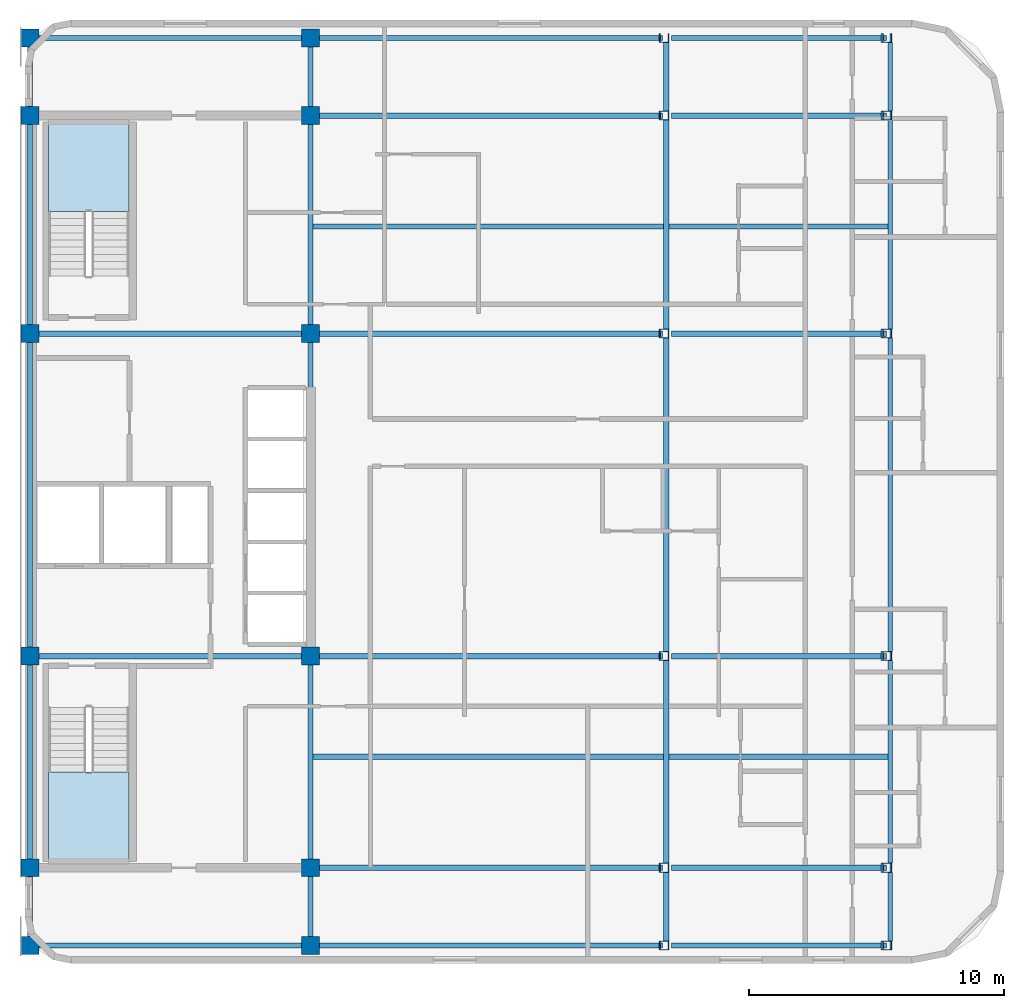
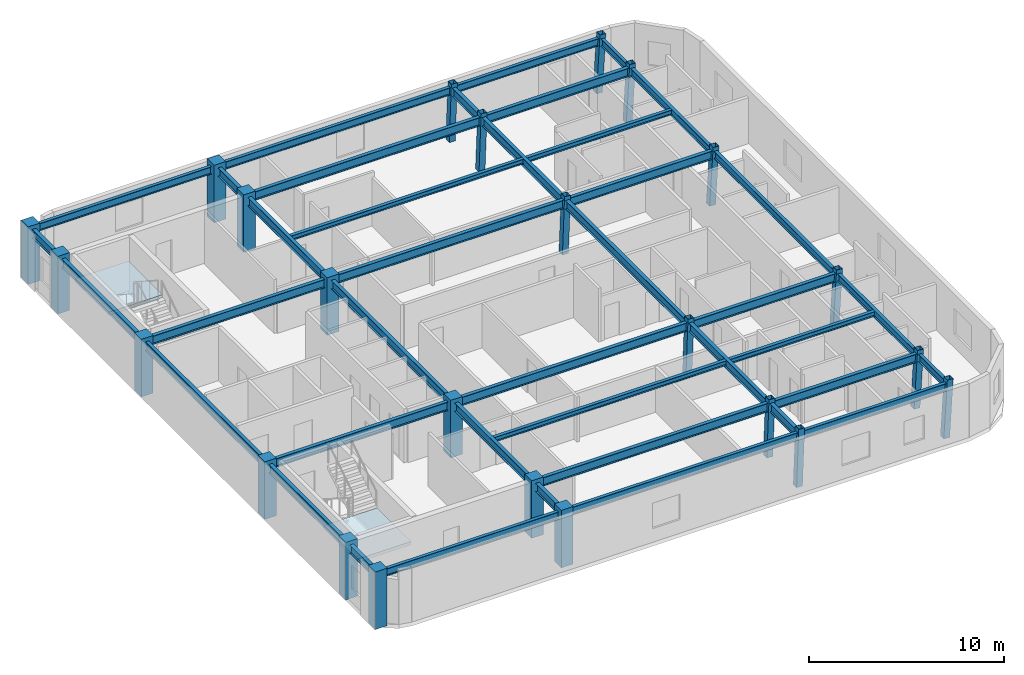
# One storey, part 1 of 6: 40 beams, 24 columns, 2 slabs, 2 elements without a shape of their own.
"""IFC4 building model written with IfcOpenShell, lengths in metres."""

import ifcopenshell
import ifcopenshell.guid

model = None  # the IFC model being written
_history = None  # IfcOwnerHistory: only IFC2X3 demands one
_inside = {}  # id of a spatial element -> (the spatial element, [elements in it])
_under = {}  # id of a project, library or spatial element -> (it, [spatial elements below it])
_declared = {}  # id of a project -> (the project, [libraries it declares])
_typed = {}  # id of a type object -> (the type object, [elements of that type])
_made_of = {}  # id of a material, layer set ... -> (it, [elements and type objects made of it])


def new_model(schema):
    """Start an empty IFC model of exactly this schema.

    Asked for "IFC4X3", IfcOpenShell would pick the latest addendum, in which some entities
    have other attributes; the version numbers below select the first issue.
    IFC2X3 requires an IfcOwnerHistory on every rooted entity: one is made here for all.
    """
    global model, _history
    if schema == "IFC4X3":
        model = ifcopenshell.file(schema_version=(4, 3, 0, 0))
    else:
        model = ifcopenshell.file(schema=schema)
    _inside.clear()
    _under.clear()
    _declared.clear()
    _typed.clear()
    _made_of.clear()
    _history = None
    if model.schema == "IFC2X3":
        org = make("IfcOrganization", Name="unknown")
        user = make(
            "IfcPersonAndOrganization",
            ThePerson=make("IfcPerson", FamilyName="unknown"),
            TheOrganization=org,
        )
        app = make(
            "IfcApplication",
            ApplicationDeveloper=org,
            Version="unknown",
            ApplicationFullName="unknown",
            ApplicationIdentifier="unknown",
        )
        _history = make(
            "IfcOwnerHistory",
            OwningUser=user,
            OwningApplication=app,
            ChangeAction="ADDED",
            CreationDate=0,
        )
    return model


def make(cls, **values):
    """One entity of the class cls with the attributes given. An attribute that is None is left unset."""
    return model.create_entity(
        cls, **{name: value for name, value in values.items() if value is not None}
    )


def rooted(cls, **values):
    """An entity with a GlobalId (a new one), such as an element, a storey or a relation."""
    return make(cls, GlobalId=ifcopenshell.guid.new(), OwnerHistory=_history, **values)


def si_unit(unit_type, name, prefix=None):
    """IfcSIUnit, for example si_unit("LENGTHUNIT", "METRE", prefix="MILLI")."""
    return make("IfcSIUnit", UnitType=unit_type, Prefix=prefix, Name=name)


def assignment(units):
    """IfcUnitAssignment: the units of a project."""
    return None if units is None else make("IfcUnitAssignment", Units=units)


def point(xyz):
    """IfcCartesianPoint."""
    return None if xyz is None else make("IfcCartesianPoint", Coordinates=xyz)


def direction(xyz):
    """IfcDirection."""
    return None if xyz is None else make("IfcDirection", DirectionRatios=xyz)


def frame(location, z_axis=None, x_axis=None):
    """IfcAxis2Placement3D, a coordinate frame: its origin and axes. An axis left out is left unset."""
    return make(
        "IfcAxis2Placement3D",
        Location=point(location),
        Axis=direction(z_axis),
        RefDirection=direction(x_axis),
    )


def frame_2d(location, x_axis=None):
    """IfcAxis2Placement2D, a coordinate frame in the plane: its origin and x axis."""
    return make(
        "IfcAxis2Placement2D", Location=point(location), RefDirection=direction(x_axis)
    )


def origin():
    """The frame at (0, 0, 0) with its axes left unset."""
    return frame((0.0, 0.0, 0.0))


def origin_2d():
    """The frame at (0, 0) in the plane with its x axis left unset."""
    return frame_2d((0.0, 0.0))


def place(relative_to, where):
    """IfcLocalPlacement: puts the frame where relative to a parent placement (None: the world)."""
    return make(
        "IfcLocalPlacement", PlacementRelTo=relative_to, RelativePlacement=where
    )


def context(
    kind, dimensions, precision=None, world=None, true_north=None, identifier=None
):
    """IfcGeometricRepresentationContext, for example the 3D "Model" context."""
    return make(
        "IfcGeometricRepresentationContext",
        ContextIdentifier=identifier,
        ContextType=kind,
        CoordinateSpaceDimension=dimensions,
        Precision=precision,
        WorldCoordinateSystem=world,
        TrueNorth=true_north,
    )


def subcontext(parent, identifier, kind, view, scale=None):
    """IfcGeometricRepresentationSubContext, for example "Body" below "Model"."""
    return make(
        "IfcGeometricRepresentationSubContext",
        ContextIdentifier=identifier,
        ContextType=kind,
        ParentContext=parent,
        TargetScale=scale,
        TargetView=view,
    )


def project(units=None, contexts=None):
    """IfcProject with its units and contexts."""
    return rooted(
        "IfcProject",
        Name="project",
        RepresentationContexts=contexts,
        UnitsInContext=assignment(units),
    )


def spatial(cls, under=None, at=None, **own):
    """A site, building, storey or space (cls), placed at a placement, below another one or the project."""
    s = rooted(cls, ObjectPlacement=at, **own)
    if under is not None:
        _under.setdefault(under.id(), (under, []))[1].append(s)
    return s


def polyline(points):
    """IfcPolyline through the points."""
    return make("IfcPolyline", Points=[point(p) for p in points])


def profile(cls, at=None, kind="AREA", **sizes):
    """A parametric profile (cls). Its sizes go by their IFC names, for example OverallWidth=200.0."""
    return make(cls, ProfileType=kind, Position=at, **sizes)


def rectangle(**sizes):
    """IfcRectangleProfileDef."""
    return profile("IfcRectangleProfileDef", **sizes)


def hollow_rectangle(**sizes):
    """IfcRectangleHollowProfileDef."""
    return profile("IfcRectangleHollowProfileDef", **sizes)


def i_section(**sizes):
    """IfcIShapeProfileDef."""
    return profile("IfcIShapeProfileDef", **sizes)


def outline(outer, holes=None, kind="AREA"):
    """IfcArbitraryClosedProfileDef: a profile drawn as a closed curve; with holes, ...WithVoids."""
    if holes is None:
        return make("IfcArbitraryClosedProfileDef", ProfileType=kind, OuterCurve=outer)
    return make(
        "IfcArbitraryProfileDefWithVoids",
        ProfileType=kind,
        OuterCurve=outer,
        InnerCurves=holes,
    )


def extrude(swept, where, along, depth):
    """IfcExtrudedAreaSolid: the profile swept, set in the frame where, extruded along a direction by depth."""
    return make(
        "IfcExtrudedAreaSolid",
        SweptArea=swept,
        Position=where,
        ExtrudedDirection=direction(along),
        Depth=depth,
    )


def shape(context_of_items, identifier, shape_type, items):
    """IfcShapeRepresentation: the items that make up one representation, for example the "Body"."""
    return make(
        "IfcShapeRepresentation",
        ContextOfItems=context_of_items,
        RepresentationIdentifier=identifier,
        RepresentationType=shape_type,
        Items=items,
    )


def material(Name=None, Category=None):
    """IfcMaterial."""
    return make("IfcMaterial", Name=Name, Category=Category)


def layer(
    of_material, thickness, ventilated=None, Name=None, Category=None, Priority=None
):
    """IfcMaterialLayer: one layer of a wall or slab, of a material (None: an air gap)."""
    return make(
        "IfcMaterialLayer",
        Material=of_material,
        LayerThickness=thickness,
        IsVentilated=ventilated,
        Name=Name,
        Category=Category,
        Priority=Priority,
    )


def layer_set(layers, Name=None):
    """IfcMaterialLayerSet."""
    return make("IfcMaterialLayerSet", MaterialLayers=layers, LayerSetName=Name)


def material_profile(
    of_material, cross_section, Name=None, Category=None, Priority=None
):
    """IfcMaterialProfile: a cross section and its material."""
    return make(
        "IfcMaterialProfile",
        Name=Name,
        Material=of_material,
        Profile=cross_section,
        Priority=Priority,
        Category=Category,
    )


def profile_set(profiles, Name=None, composite=None):
    """IfcMaterialProfileSet."""
    return make(
        "IfcMaterialProfileSet",
        Name=Name,
        MaterialProfiles=profiles,
        CompositeProfile=composite,
    )


def made_of(thing, what):
    """Note that an element or type object is made of a material, layer set ...; save() writes the relation."""
    if what is not None:
        _made_of.setdefault(what.id(), (what, []))[1].append(thing)
    return thing


def type_object(cls, material=None, **own):
    """A type object (cls), such as IfcWallType, which elements share."""
    return made_of(rooted(cls, **own), material)


def element(
    cls,
    number,
    at=None,
    inside=None,
    cuts=None,
    type_object=None,
    material=None,
    context=None,
    identifier="Body",
    shape_type=None,
    held_by="IfcProductDefinitionShape",
    body=None,
    shapes=None,
    **own,
):
    """One element of the class cls, such as IfcWall. Its Tag is "e" and its number.

    at: its placement. inside: the storey or other place that contains it. cuts: it is an
    opening in that element (IfcRelVoidsElement). A single representation is given by context,
    identifier, shape_type and body (its items); several are given by shapes. held_by: the class
    of the entity that holds the representations. save() writes the other relations.
    """
    e = rooted(cls, Tag="e%d" % number, ObjectPlacement=at, **own)
    if body is not None:
        shapes = [shape(context, identifier, shape_type, body)]
    if shapes is not None:
        e.Representation = make(held_by, Representations=shapes)
    if inside is not None:
        _inside.setdefault(inside.id(), (inside, []))[1].append(e)
    if cuts is not None:
        rooted(
            "IfcRelVoidsElement", RelatingBuildingElement=cuts, RelatedOpeningElement=e
        )
    if type_object is not None:
        _typed.setdefault(type_object.id(), (type_object, []))[1].append(e)
    return made_of(e, material)


def aggregate(whole, parts):
    """IfcRelAggregates: a whole, such as a stair, and the parts it consists of."""
    return rooted("IfcRelAggregates", RelatingObject=whole, RelatedObjects=parts)


def save(model, path):
    """Write the relations noted so far, then the file.

    IfcRelAggregates (storeys below a building ...), IfcRelContainedInSpatialStructure (elements
    in a storey), IfcRelDefinesByType, IfcRelAssociatesMaterial and IfcRelDeclares: one each for
    every whole, place, type object, material and project.
    """
    for whole, parts in _under.values():
        aggregate(whole, parts)
    for where, things in _inside.values():
        rooted(
            "IfcRelContainedInSpatialStructure",
            RelatedElements=things,
            RelatingStructure=where,
        )
    for kind, things in _typed.values():
        rooted("IfcRelDefinesByType", RelatedObjects=things, RelatingType=kind)
    for what, things in _made_of.values():
        rooted("IfcRelAssociatesMaterial", RelatedObjects=things, RelatingMaterial=what)
    for by, libraries in _declared.values():
        rooted("IfcRelDeclares", RelatingContext=by, RelatedDefinitions=libraries)
    model.write(path)


model = new_model("IFC4")

# Units and contexts
model_context = context("Model", 3, precision=1e-05, world=origin(), true_north=direction((0.0, 1.0)))
body_context = subcontext(model_context, "Body", "Model", "MODEL_VIEW")
ifc_project = project(units=[si_unit("LENGTHUNIT", "METRE"), si_unit("AREAUNIT", "SQUARE_METRE"), si_unit("VOLUMEUNIT", "CUBIC_METRE"), si_unit("PLANEANGLEUNIT", "RADIAN"), si_unit("MASSUNIT", "GRAM", prefix="KILO")], contexts=[model_context])

# Site, building, storey
site_placement = place(None, origin())
site = spatial("IfcSite", under=ifc_project, at=site_placement, CompositionType="ELEMENT")
building_placement = place(site_placement, origin())
building = spatial("IfcBuilding", under=site, at=building_placement, Name="Ochreholt Gables", CompositionType="ELEMENT")
storey_placement = place(building_placement, frame((0.0, 0.0, 260.39990234375)))
storey = spatial("IfcBuildingStorey", under=building, at=storey_placement, Name="L68", CompositionType="ELEMENT", Elevation=260.39990234375)

# Columns
ifc_material_1 = material(Name="Steel CSA G40.21 350W", Category="steel")
ifc_material_profile_1 = material_profile(ifc_material_1, hollow_rectangle(XDim=0.35595703125, YDim=0.35595703125, WallThickness=0.01611328125, at=origin_2d()), Name="HSS356X356X16")
ifc_profile_set_1 = profile_set([ifc_material_profile_1], Name="Steel CSA G40.21 350W")
column_type_1 = type_object("IfcColumnType", Name="COL-HSS356-RAK", PredefinedType="COLUMN", material=ifc_profile_set_1)
for number, where, z_axis, x_axis, name in (
    (1, (49.050048828125, 9.25, 0.0), (0.034971136209, 0.0, 0.999388322742), (0.0, 1.0, 0.0), "L68 Column EMY2"),
    (2, (49.050048828125, 17.550048828125, 0.0), (0.034971136209, 0.0, 0.999388322742), (0.0, 1.0, 0.0), "L68 Column EMY3"),
    (3, (49.050048828125, 30.199951171875, 0.0), (0.034971136209, 0.0, 0.999388322742), (0.0, 1.0, 0.0), "L68 Column EMY4"),
    (4, (49.050048828125, 38.75, 0.0), (0.034971136209, 0.0, 0.999388322742), (0.0, 1.0, 0.0), "L68 Column EMY5"),
):
    element("IfcColumn", number, at=place(storey_placement, frame(where, z_axis=z_axis, x_axis=x_axis)), inside=storey, type_object=column_type_1, Name=name, PredefinedType="COLUMN", context=body_context, shape_type="SweptSolid", body=[
        extrude(hollow_rectangle(XDim=0.35595703125, YDim=0.35595703125, WallThickness=0.01611328125, at=origin_2d()), origin(), (0.0, 0.0, 1.0), 3.602294921875),
    ])
ifc_material_profile_2 = material_profile(ifc_material_1, hollow_rectangle(XDim=0.35595703125, YDim=0.35595703125, WallThickness=0.01611328125, at=origin_2d()), Name="HSS356X356X16")
ifc_profile_set_2 = profile_set([ifc_material_profile_2], Name="Steel CSA G40.21 350W")
column_type_2 = type_object("IfcColumnType", Name="COL-HSS356-RAKE", PredefinedType="COLUMN", material=ifc_profile_set_2)
for number, where, z_axis, x_axis, name in (
    (5, (49.050048828125, 6.199951171875, 0.0), (0.034971136209, 0.0, 0.999388322742), (0.0, 1.0, 0.0), "L68 Column EMY1"),
    (6, (49.050048828125, 41.800048828125, 0.0), (0.034971136209, 0.0, 0.999388322742), (0.0, 1.0, 0.0), "L68 Column EMY6"),
):
    element("IfcColumn", number, at=place(storey_placement, frame(where, z_axis=z_axis, x_axis=x_axis)), inside=storey, type_object=column_type_2, Name=name, PredefinedType="COLUMN", context=body_context, shape_type="SweptSolid", body=[
        extrude(hollow_rectangle(XDim=0.35595703125, YDim=0.35595703125, WallThickness=0.01611328125, at=origin_2d()), origin(), (0.0, 0.0, 1.0), 3.602294921875),
    ])
for number, where, z_axis, x_axis, name in (
    (7, (57.760009765625, 6.199951171875, 0.0), (0.057884606321, 0.0, 0.998323280481), (0.0, 1.0, 0.0), "L68 Column EEY1"),
    (8, (57.760009765625, 9.25, 0.0), (0.057884606321, 0.0, 0.998323280481), (0.0, 1.0, 0.0), "L68 Column EEY2"),
    (9, (57.760009765625, 17.550048828125, 0.0), (0.057884606321, 0.0, 0.998323280481), (0.0, 1.0, 0.0), "L68 Column EEY3"),
    (10, (57.760009765625, 30.199951171875, 0.0), (0.057884606321, 0.0, 0.998323280481), (0.0, 1.0, 0.0), "L68 Column EEY4"),
    (11, (57.760009765625, 38.75, 0.0), (0.057884606321, 0.0, 0.998323280481), (0.0, 1.0, 0.0), "L68 Column EEY5"),
    (12, (57.760009765625, 41.800048828125, 0.0), (0.057884606321, 0.0, 0.998323280481), (0.0, 1.0, 0.0), "L68 Column EEY6"),
):
    element("IfcColumn", number, at=place(storey_placement, frame(where, z_axis=z_axis, x_axis=x_axis)), inside=storey, type_object=column_type_2, Name=name, PredefinedType="COLUMN", context=body_context, shape_type="SweptSolid", body=[
        extrude(hollow_rectangle(XDim=0.35595703125, YDim=0.35595703125, WallThickness=0.01611328125, at=origin_2d()), origin(), (0.0, 0.0, 1.0), 3.606201171875),
    ])
ifc_material_2 = material(Name="Concrete 50 MPa", Category="concrete")
ifc_material_profile_3 = material_profile(ifc_material_2, rectangle(XDim=0.699951171875, YDim=0.699951171875, at=origin_2d()), Name="RC700X700")
ifc_profile_set_3 = profile_set([ifc_material_profile_3], Name="Concrete 50 MPa")
column_type_3 = type_object("IfcColumnType", Name="COL-RC700-EXT", PredefinedType="COLUMN", material=ifc_profile_set_3)
for number, where, z_axis, x_axis, name in (
    (13, (24.199951171875, 6.199951171875, 0.0), (0.0, 0.0, 1.0), (1.0, 0.0, 0.0), "L68 Column C1Y1"),
    (14, (24.199951171875, 9.25, 0.0), (0.0, 0.0, 1.0), (1.0, 0.0, 0.0), "L68 Column C1Y2"),
    (15, (24.199951171875, 17.550048828125, 0.0), (0.0, 0.0, 1.0), (1.0, 0.0, 0.0), "L68 Column C1Y3"),
    (16, (24.199951171875, 30.199951171875, 0.0), (0.0, 0.0, 1.0), (1.0, 0.0, 0.0), "L68 Column C1Y4"),
    (17, (24.199951171875, 38.75, 0.0), (0.0, 0.0, 1.0), (1.0, 0.0, 0.0), "L68 Column C1Y5"),
    (18, (24.199951171875, 41.800048828125, 0.0), (0.0, 0.0, 1.0), (1.0, 0.0, 0.0), "L68 Column C1Y6"),
    (19, (35.199951171875, 6.199951171875, 0.0), (0.0, 0.0, 1.0), (1.0, 0.0, 0.0), "L68 Column C2Y1"),
    (20, (35.199951171875, 41.800048828125, 0.0), (0.0, 0.0, 1.0), (1.0, 0.0, 0.0), "L68 Column C2Y6"),
):
    element("IfcColumn", number, at=place(storey_placement, frame(where, z_axis=z_axis, x_axis=x_axis)), inside=storey, type_object=column_type_3, Name=name, PredefinedType="COLUMN", context=body_context, shape_type="SweptSolid", body=[
        extrude(rectangle(XDim=0.699951171875, YDim=0.699951171875, at=origin_2d()), origin(), (0.0, 0.0, 1.0), 3.60009765625),
    ])
ifc_material_profile_4 = material_profile(ifc_material_2, rectangle(XDim=0.699951171875, YDim=0.699951171875, at=origin_2d()), Name="RC700X700")
ifc_profile_set_4 = profile_set([ifc_material_profile_4], Name="Concrete 50 MPa")
column_type_4 = type_object("IfcColumnType", Name="COL-RC700-INT", PredefinedType="COLUMN", material=ifc_profile_set_4)
for number, where, z_axis, x_axis, name in (
    (21, (35.199951171875, 9.25, 0.0), (0.0, 0.0, 1.0), (1.0, 0.0, 0.0), "L68 Column C2Y2"),
    (22, (35.199951171875, 17.550048828125, 0.0), (0.0, 0.0, 1.0), (1.0, 0.0, 0.0), "L68 Column C2Y3"),
    (23, (35.199951171875, 30.199951171875, 0.0), (0.0, 0.0, 1.0), (1.0, 0.0, 0.0), "L68 Column C2Y4"),
    (24, (35.199951171875, 38.75, 0.0), (0.0, 0.0, 1.0), (1.0, 0.0, 0.0), "L68 Column C2Y5"),
):
    element("IfcColumn", number, at=place(storey_placement, frame(where, z_axis=z_axis, x_axis=x_axis)), inside=storey, type_object=column_type_4, Name=name, PredefinedType="COLUMN", context=body_context, shape_type="SweptSolid", body=[
        extrude(rectangle(XDim=0.699951171875, YDim=0.699951171875, at=origin_2d()), origin(), (0.0, 0.0, 1.0), 3.60009765625),
    ])

# Beams
ifc_material_profile_5 = material_profile(ifc_material_1, i_section(OverallWidth=0.2109375, OverallDepth=0.5390625, WebThickness=0.01171875, FlangeThickness=0.018798828125, at=origin_2d()), Name="W530X109")
ifc_profile_set_5 = profile_set([ifc_material_profile_5], Name="Steel CSA G40.21 350W")
beam_type_1 = type_object("IfcBeamType", Name="BM-G-W530A", PredefinedType="BEAM", material=ifc_profile_set_5)
beam_1_placement = place(storey_placement, frame((35.549560546875, 9.25, 3.090576171875), z_axis=(1.0, 0.0, 0.0), x_axis=(0.0, 1.0, 0.0)))
element("IfcBeam", 25, at=beam_1_placement, inside=storey, type_object=beam_type_1, Name="L68 Beam TBG-L68-C2EM-Y2", PredefinedType="BEAM", context=body_context, shape_type="SweptSolid", body=[
    extrude(i_section(OverallWidth=0.2109375, OverallDepth=0.5390625, WebThickness=0.01171875, FlangeThickness=0.018798828125, at=origin_2d()), origin(), (0.0, 0.0, 1.0), 13.44873046875),
])
beam_2_placement = place(storey_placement, frame((49.353515625, 9.25, 3.090576171875), z_axis=(1.0, 0.0, 0.0), x_axis=(0.0, 1.0, 0.0)))
element("IfcBeam", 26, at=beam_2_placement, inside=storey, type_object=beam_type_1, Name="L68 Beam TBG-L68-EMEE-Y2", PredefinedType="BEAM", context=body_context, shape_type="SweptSolid", body=[
    extrude(i_section(OverallWidth=0.2109375, OverallDepth=0.5390625, WebThickness=0.01171875, FlangeThickness=0.018798828125, at=origin_2d()), origin(), (0.0, 0.0, 1.0), 8.437744140625),
])
beam_3_placement = place(storey_placement, frame((24.549560546875, 17.550048828125, 3.090576171875), z_axis=(1.0, 0.0, 0.0), x_axis=(0.0, 1.0, 0.0)))
element("IfcBeam", 27, at=beam_3_placement, inside=storey, type_object=beam_type_1, Name="L68 Beam TBG-L68-C1C2-Y3", PredefinedType="BEAM", context=body_context, shape_type="SweptSolid", body=[
    extrude(i_section(OverallWidth=0.2109375, OverallDepth=0.5390625, WebThickness=0.01171875, FlangeThickness=0.018798828125, at=origin_2d()), origin(), (0.0, 0.0, 1.0), 10.30078125),
])
beam_4_placement = place(storey_placement, frame((35.549560546875, 17.550048828125, 3.090576171875), z_axis=(1.0, 0.0, 0.0), x_axis=(0.0, 1.0, 0.0)))
element("IfcBeam", 28, at=beam_4_placement, inside=storey, type_object=beam_type_1, Name="L68 Beam TBG-L68-C2EM-Y3", PredefinedType="BEAM", context=body_context, shape_type="SweptSolid", body=[
    extrude(i_section(OverallWidth=0.2109375, OverallDepth=0.5390625, WebThickness=0.01171875, FlangeThickness=0.018798828125, at=origin_2d()), origin(), (0.0, 0.0, 1.0), 13.44873046875),
])
beam_5_placement = place(storey_placement, frame((49.353515625, 17.550048828125, 3.090576171875), z_axis=(1.0, 0.0, 0.0), x_axis=(0.0, 1.0, 0.0)))
element("IfcBeam", 29, at=beam_5_placement, inside=storey, type_object=beam_type_1, Name="L68 Beam TBG-L68-EMEE-Y3", PredefinedType="BEAM", context=body_context, shape_type="SweptSolid", body=[
    extrude(i_section(OverallWidth=0.2109375, OverallDepth=0.5390625, WebThickness=0.01171875, FlangeThickness=0.018798828125, at=origin_2d()), origin(), (0.0, 0.0, 1.0), 8.437744140625),
])
beam_6_placement = place(storey_placement, frame((24.549560546875, 30.199951171875, 3.090576171875), z_axis=(1.0, 0.0, 0.0), x_axis=(0.0, 1.0, 0.0)))
element("IfcBeam", 30, at=beam_6_placement, inside=storey, type_object=beam_type_1, Name="L68 Beam TBG-L68-C1C2-Y4", PredefinedType="BEAM", context=body_context, shape_type="SweptSolid", body=[
    extrude(i_section(OverallWidth=0.2109375, OverallDepth=0.5390625, WebThickness=0.01171875, FlangeThickness=0.018798828125, at=origin_2d()), origin(), (0.0, 0.0, 1.0), 10.30078125),
])
beam_7_placement = place(storey_placement, frame((35.549560546875, 30.199951171875, 3.090576171875), z_axis=(1.0, 0.0, 0.0), x_axis=(0.0, 1.0, 0.0)))
element("IfcBeam", 31, at=beam_7_placement, inside=storey, type_object=beam_type_1, Name="L68 Beam TBG-L68-C2EM-Y4", PredefinedType="BEAM", context=body_context, shape_type="SweptSolid", body=[
    extrude(i_section(OverallWidth=0.2109375, OverallDepth=0.5390625, WebThickness=0.01171875, FlangeThickness=0.018798828125, at=origin_2d()), origin(), (0.0, 0.0, 1.0), 13.44873046875),
])
beam_8_placement = place(storey_placement, frame((49.353515625, 30.199951171875, 3.090576171875), z_axis=(1.0, 0.0, 0.0), x_axis=(0.0, 1.0, 0.0)))
element("IfcBeam", 32, at=beam_8_placement, inside=storey, type_object=beam_type_1, Name="L68 Beam TBG-L68-EMEE-Y4", PredefinedType="BEAM", context=body_context, shape_type="SweptSolid", body=[
    extrude(i_section(OverallWidth=0.2109375, OverallDepth=0.5390625, WebThickness=0.01171875, FlangeThickness=0.018798828125, at=origin_2d()), origin(), (0.0, 0.0, 1.0), 8.437744140625),
])
beam_9_placement = place(storey_placement, frame((35.549560546875, 38.75, 3.090576171875), z_axis=(1.0, 0.0, 0.0), x_axis=(0.0, 1.0, 0.0)))
element("IfcBeam", 33, at=beam_9_placement, inside=storey, type_object=beam_type_1, Name="L68 Beam TBG-L68-C2EM-Y5", PredefinedType="BEAM", context=body_context, shape_type="SweptSolid", body=[
    extrude(i_section(OverallWidth=0.2109375, OverallDepth=0.5390625, WebThickness=0.01171875, FlangeThickness=0.018798828125, at=origin_2d()), origin(), (0.0, 0.0, 1.0), 13.44873046875),
])
beam_10_placement = place(storey_placement, frame((49.353515625, 38.75, 3.090576171875), z_axis=(1.0, 0.0, 0.0), x_axis=(0.0, 1.0, 0.0)))
element("IfcBeam", 34, at=beam_10_placement, inside=storey, type_object=beam_type_1, Name="L68 Beam TBG-L68-EMEE-Y5", PredefinedType="BEAM", context=body_context, shape_type="SweptSolid", body=[
    extrude(i_section(OverallWidth=0.2109375, OverallDepth=0.5390625, WebThickness=0.01171875, FlangeThickness=0.018798828125, at=origin_2d()), origin(), (0.0, 0.0, 1.0), 8.437744140625),
])
beam_11_placement = place(storey_placement, frame((24.199951171875, 6.549560546875, 3.090576171875), z_axis=(0.0, 1.0, 0.0), x_axis=(-1.0, 0.0, 0.0)))
element("IfcBeam", 35, at=beam_11_placement, inside=storey, type_object=beam_type_1, Name="L68 Beam TBN-L68-C1-Y1Y2", PredefinedType="BEAM", context=body_context, shape_type="SweptSolid", body=[
    extrude(i_section(OverallWidth=0.2109375, OverallDepth=0.5390625, WebThickness=0.01171875, FlangeThickness=0.018798828125, at=origin_2d()), origin(), (0.0, 0.0, 1.0), 2.350830078125),
])
beam_12_placement = place(storey_placement, frame((24.199951171875, 9.599609375, 3.090576171875), z_axis=(0.0, 1.0, 0.0), x_axis=(-1.0, 0.0, 0.0)))
element("IfcBeam", 36, at=beam_12_placement, inside=storey, type_object=beam_type_1, Name="L68 Beam TBN-L68-C1-Y2Y3", PredefinedType="BEAM", context=body_context, shape_type="SweptSolid", body=[
    extrude(i_section(OverallWidth=0.2109375, OverallDepth=0.5390625, WebThickness=0.01171875, FlangeThickness=0.018798828125, at=origin_2d()), origin(), (0.0, 0.0, 1.0), 7.600830078125),
])
beam_13_placement = place(storey_placement, frame((24.199951171875, 17.899658203125, 3.090576171875), z_axis=(0.0, 1.0, 0.0), x_axis=(-1.0, 0.0, 0.0)))
element("IfcBeam", 37, at=beam_13_placement, inside=storey, type_object=beam_type_1, Name="L68 Beam TBN-L68-C1-Y3Y4", PredefinedType="BEAM", context=body_context, shape_type="SweptSolid", body=[
    extrude(i_section(OverallWidth=0.2109375, OverallDepth=0.5390625, WebThickness=0.01171875, FlangeThickness=0.018798828125, at=origin_2d()), origin(), (0.0, 0.0, 1.0), 11.95068359375),
])
beam_14_placement = place(storey_placement, frame((24.199951171875, 30.549560546875, 3.090576171875), z_axis=(0.0, 1.0, 0.0), x_axis=(-1.0, 0.0, 0.0)))
element("IfcBeam", 38, at=beam_14_placement, inside=storey, type_object=beam_type_1, Name="L68 Beam TBN-L68-C1-Y4Y5", PredefinedType="BEAM", context=body_context, shape_type="SweptSolid", body=[
    extrude(i_section(OverallWidth=0.2109375, OverallDepth=0.5390625, WebThickness=0.01171875, FlangeThickness=0.018798828125, at=origin_2d()), origin(), (0.0, 0.0, 1.0), 7.850830078125),
])
for number, where, z_axis, x_axis, name in (
    (39, (24.199951171875, 39.099609375, 3.090576171875), (0.0, 1.0, 0.0), (-1.0, 0.0, 0.0), "L68 Beam TBN-L68-C1-Y5Y6"),
    (40, (35.199951171875, 6.549560546875, 3.090576171875), (0.0, 1.0, 0.0), (-1.0, 0.0, 0.0), "L68 Beam TBN-L68-C2-Y1Y2"),
):
    element("IfcBeam", number, at=place(storey_placement, frame(where, z_axis=z_axis, x_axis=x_axis)), inside=storey, type_object=beam_type_1, Name=name, PredefinedType="BEAM", context=body_context, shape_type="SweptSolid", body=[
        extrude(i_section(OverallWidth=0.2109375, OverallDepth=0.5390625, WebThickness=0.01171875, FlangeThickness=0.018798828125, at=origin_2d()), origin(), (0.0, 0.0, 1.0), 2.350830078125),
    ])
beam_15_placement = place(storey_placement, frame((35.199951171875, 9.599609375, 3.090576171875), z_axis=(0.0, 1.0, 0.0), x_axis=(-1.0, 0.0, 0.0)))
element("IfcBeam", 41, at=beam_15_placement, inside=storey, type_object=beam_type_1, Name="L68 Beam TBN-L68-C2-Y2Y3", PredefinedType="BEAM", context=body_context, shape_type="SweptSolid", body=[
    extrude(i_section(OverallWidth=0.2109375, OverallDepth=0.5390625, WebThickness=0.01171875, FlangeThickness=0.018798828125, at=origin_2d()), origin(), (0.0, 0.0, 1.0), 7.600830078125),
])
beam_16_placement = place(storey_placement, frame((35.199951171875, 17.899658203125, 3.090576171875), z_axis=(0.0, 1.0, 0.0), x_axis=(-1.0, 0.0, 0.0)))
element("IfcBeam", 42, at=beam_16_placement, inside=storey, type_object=beam_type_1, Name="L68 Beam TBN-L68-C2-Y3Y4", PredefinedType="BEAM", context=body_context, shape_type="SweptSolid", body=[
    extrude(i_section(OverallWidth=0.2109375, OverallDepth=0.5390625, WebThickness=0.01171875, FlangeThickness=0.018798828125, at=origin_2d()), origin(), (0.0, 0.0, 1.0), 11.95068359375),
])
beam_17_placement = place(storey_placement, frame((35.199951171875, 30.549560546875, 3.090576171875), z_axis=(0.0, 1.0, 0.0), x_axis=(-1.0, 0.0, 0.0)))
element("IfcBeam", 43, at=beam_17_placement, inside=storey, type_object=beam_type_1, Name="L68 Beam TBN-L68-C2-Y4Y5", PredefinedType="BEAM", context=body_context, shape_type="SweptSolid", body=[
    extrude(i_section(OverallWidth=0.2109375, OverallDepth=0.5390625, WebThickness=0.01171875, FlangeThickness=0.018798828125, at=origin_2d()), origin(), (0.0, 0.0, 1.0), 7.850830078125),
])
beam_18_placement = place(storey_placement, frame((35.199951171875, 39.099609375, 3.090576171875), z_axis=(0.0, 1.0, 0.0), x_axis=(-1.0, 0.0, 0.0)))
element("IfcBeam", 44, at=beam_18_placement, inside=storey, type_object=beam_type_1, Name="L68 Beam TBN-L68-C2-Y5Y6", PredefinedType="BEAM", context=body_context, shape_type="SweptSolid", body=[
    extrude(i_section(OverallWidth=0.2109375, OverallDepth=0.5390625, WebThickness=0.01171875, FlangeThickness=0.018798828125, at=origin_2d()), origin(), (0.0, 0.0, 1.0), 2.350830078125),
])
beam_19_placement = place(storey_placement, frame((49.158935546875, 6.377685546875, 3.090576171875), z_axis=(0.0, 1.0, 0.0), x_axis=(-1.0, 0.0, 0.0)))
element("IfcBeam", 45, at=beam_19_placement, inside=storey, type_object=beam_type_1, Name="L68 Beam TBN-L68-EM-Y1Y2", PredefinedType="BEAM", context=body_context, shape_type="SweptSolid", body=[
    extrude(i_section(OverallWidth=0.2109375, OverallDepth=0.5390625, WebThickness=0.01171875, FlangeThickness=0.018798828125, at=origin_2d()), origin(), (0.0, 0.0, 1.0), 2.69482421875),
])
beam_20_placement = place(storey_placement, frame((49.158935546875, 9.427490234375, 3.090576171875), z_axis=(0.0, 1.0, 0.0), x_axis=(-1.0, 0.0, 0.0)))
element("IfcBeam", 46, at=beam_20_placement, inside=storey, type_object=beam_type_1, Name="L68 Beam TBN-L68-EM-Y2Y3", PredefinedType="BEAM", context=body_context, shape_type="SweptSolid", body=[
    extrude(i_section(OverallWidth=0.2109375, OverallDepth=0.5390625, WebThickness=0.01171875, FlangeThickness=0.018798828125, at=origin_2d()), origin(), (0.0, 0.0, 1.0), 7.94482421875),
])
beam_21_placement = place(storey_placement, frame((49.158935546875, 17.7275390625, 3.090576171875), z_axis=(0.0, 1.0, 0.0), x_axis=(-1.0, 0.0, 0.0)))
element("IfcBeam", 47, at=beam_21_placement, inside=storey, type_object=beam_type_1, Name="L68 Beam TBN-L68-EM-Y3Y4", PredefinedType="BEAM", context=body_context, shape_type="SweptSolid", body=[
    extrude(i_section(OverallWidth=0.2109375, OverallDepth=0.5390625, WebThickness=0.01171875, FlangeThickness=0.018798828125, at=origin_2d()), origin(), (0.0, 0.0, 1.0), 12.294921875),
])
beam_22_placement = place(storey_placement, frame((49.158935546875, 30.377685546875, 3.090576171875), z_axis=(0.0, 1.0, 0.0), x_axis=(-1.0, 0.0, 0.0)))
element("IfcBeam", 48, at=beam_22_placement, inside=storey, type_object=beam_type_1, Name="L68 Beam TBN-L68-EM-Y4Y5", PredefinedType="BEAM", context=body_context, shape_type="SweptSolid", body=[
    extrude(i_section(OverallWidth=0.2109375, OverallDepth=0.5390625, WebThickness=0.01171875, FlangeThickness=0.018798828125, at=origin_2d()), origin(), (0.0, 0.0, 1.0), 8.19482421875),
])
beam_23_placement = place(storey_placement, frame((49.158935546875, 38.927490234375, 3.090576171875), z_axis=(0.0, 1.0, 0.0), x_axis=(-1.0, 0.0, 0.0)))
element("IfcBeam", 49, at=beam_23_placement, inside=storey, type_object=beam_type_1, Name="L68 Beam TBN-L68-EM-Y5Y6", PredefinedType="BEAM", context=body_context, shape_type="SweptSolid", body=[
    extrude(i_section(OverallWidth=0.2109375, OverallDepth=0.5390625, WebThickness=0.01171875, FlangeThickness=0.018798828125, at=origin_2d()), origin(), (0.0, 0.0, 1.0), 2.69482421875),
])
ifc_material_profile_6 = material_profile(ifc_material_1, i_section(OverallWidth=0.202880859375, OverallDepth=0.302978515625, WebThickness=0.007568359375, FlangeThickness=0.01318359375, at=origin_2d()), Name="W310X60")
ifc_profile_set_6 = profile_set([ifc_material_profile_6], Name="Steel CSA G40.21 350W")
beam_type_2 = type_object("IfcBeamType", Name="BM-J-W310", PredefinedType="JOIST", material=ifc_profile_set_6)
beam_24_placement = place(storey_placement, frame((35.30517578125, 13.60009765625, 3.20849609375), z_axis=(1.0, 0.0, 0.0), x_axis=(0.0, 1.0, 0.0)))
element("IfcBeam", 50, at=beam_24_placement, inside=storey, type_object=beam_type_2, Name="L68 Beam TBJ-L68-J1-C2EM", PredefinedType="JOIST", context=body_context, shape_type="SweptSolid", body=[
    extrude(i_section(OverallWidth=0.202880859375, OverallDepth=0.302978515625, WebThickness=0.007568359375, FlangeThickness=0.01318359375, at=origin_2d()), origin(), (0.0, 0.0, 1.0), 13.74853515625),
])
beam_25_placement = place(storey_placement, frame((49.263916015625, 13.60009765625, 3.20849609375), z_axis=(1.0, 0.0, 0.0), x_axis=(0.0, 1.0, 0.0)))
element("IfcBeam", 51, at=beam_25_placement, inside=storey, type_object=beam_type_2, Name="L68 Beam TBJ-L68-J1-EMEE", PredefinedType="JOIST", context=body_context, shape_type="SweptSolid", body=[
    extrude(i_section(OverallWidth=0.202880859375, OverallDepth=0.302978515625, WebThickness=0.007568359375, FlangeThickness=0.01318359375, at=origin_2d()), origin(), (0.0, 0.0, 1.0), 8.580810546875),
])
beam_26_placement = place(storey_placement, frame((35.30517578125, 34.39990234375, 3.20849609375), z_axis=(1.0, 0.0, 0.0), x_axis=(0.0, 1.0, 0.0)))
element("IfcBeam", 52, at=beam_26_placement, inside=storey, type_object=beam_type_2, Name="L68 Beam TBJ-L68-J2-C2EM", PredefinedType="JOIST", context=body_context, shape_type="SweptSolid", body=[
    extrude(i_section(OverallWidth=0.202880859375, OverallDepth=0.302978515625, WebThickness=0.007568359375, FlangeThickness=0.01318359375, at=origin_2d()), origin(), (0.0, 0.0, 1.0), 13.74853515625),
])
beam_27_placement = place(storey_placement, frame((49.263916015625, 34.39990234375, 3.20849609375), z_axis=(1.0, 0.0, 0.0), x_axis=(0.0, 1.0, 0.0)))
element("IfcBeam", 53, at=beam_27_placement, inside=storey, type_object=beam_type_2, Name="L68 Beam TBJ-L68-J2-EMEE", PredefinedType="JOIST", context=body_context, shape_type="SweptSolid", body=[
    extrude(i_section(OverallWidth=0.202880859375, OverallDepth=0.302978515625, WebThickness=0.007568359375, FlangeThickness=0.01318359375, at=origin_2d()), origin(), (0.0, 0.0, 1.0), 8.580810546875),
])
ifc_material_profile_7 = material_profile(ifc_material_1, i_section(OverallWidth=0.19189453125, OverallDepth=0.462890625, WebThickness=0.010498046875, FlangeThickness=0.017578125, at=origin_2d()), Name="W460X89")
ifc_profile_set_7 = profile_set([ifc_material_profile_7], Name="Steel CSA G40.21 350W")
beam_type_3 = type_object("IfcBeamType", Name="BM-SP-W460A", PredefinedType="SPANDREL", material=ifc_profile_set_7)
beam_28_placement = place(storey_placement, frame((24.549560546875, 6.199951171875, 3.128662109375), z_axis=(1.0, 0.0, 0.0), x_axis=(0.0, 1.0, 0.0)))
element("IfcBeam", 54, at=beam_28_placement, inside=storey, type_object=beam_type_3, Name="L68 Beam TBG-L68-C1C2-Y1", PredefinedType="SPANDREL", context=body_context, shape_type="SweptSolid", body=[
    extrude(i_section(OverallWidth=0.19189453125, OverallDepth=0.462890625, WebThickness=0.010498046875, FlangeThickness=0.017578125, at=origin_2d()), origin(), (0.0, 0.0, 1.0), 10.30078125),
])
beam_29_placement = place(storey_placement, frame((35.549560546875, 6.199951171875, 3.128662109375), z_axis=(1.0, 0.0, 0.0), x_axis=(0.0, 1.0, 0.0)))
element("IfcBeam", 55, at=beam_29_placement, inside=storey, type_object=beam_type_3, Name="L68 Beam TBG-L68-C2EM-Y1", PredefinedType="SPANDREL", context=body_context, shape_type="SweptSolid", body=[
    extrude(i_section(OverallWidth=0.19189453125, OverallDepth=0.462890625, WebThickness=0.010498046875, FlangeThickness=0.017578125, at=origin_2d()), origin(), (0.0, 0.0, 1.0), 13.44873046875),
])
beam_30_placement = place(storey_placement, frame((49.353515625, 6.199951171875, 3.128662109375), z_axis=(1.0, 0.0, 0.0), x_axis=(0.0, 1.0, 0.0)))
element("IfcBeam", 56, at=beam_30_placement, inside=storey, type_object=beam_type_3, Name="L68 Beam TBG-L68-EMEE-Y1", PredefinedType="SPANDREL", context=body_context, shape_type="SweptSolid", body=[
    extrude(i_section(OverallWidth=0.19189453125, OverallDepth=0.462890625, WebThickness=0.010498046875, FlangeThickness=0.017578125, at=origin_2d()), origin(), (0.0, 0.0, 1.0), 8.437744140625),
])
beam_31_placement = place(storey_placement, frame((24.549560546875, 41.800048828125, 3.128662109375), z_axis=(1.0, 0.0, 0.0), x_axis=(0.0, 1.0, 0.0)))
element("IfcBeam", 57, at=beam_31_placement, inside=storey, type_object=beam_type_3, Name="L68 Beam TBG-L68-C1C2-Y6", PredefinedType="SPANDREL", context=body_context, shape_type="SweptSolid", body=[
    extrude(i_section(OverallWidth=0.19189453125, OverallDepth=0.462890625, WebThickness=0.010498046875, FlangeThickness=0.017578125, at=origin_2d()), origin(), (0.0, 0.0, 1.0), 10.30078125),
])
beam_32_placement = place(storey_placement, frame((35.549560546875, 41.800048828125, 3.128662109375), z_axis=(1.0, 0.0, 0.0), x_axis=(0.0, 1.0, 0.0)))
element("IfcBeam", 58, at=beam_32_placement, inside=storey, type_object=beam_type_3, Name="L68 Beam TBG-L68-C2EM-Y6", PredefinedType="SPANDREL", context=body_context, shape_type="SweptSolid", body=[
    extrude(i_section(OverallWidth=0.19189453125, OverallDepth=0.462890625, WebThickness=0.010498046875, FlangeThickness=0.017578125, at=origin_2d()), origin(), (0.0, 0.0, 1.0), 13.44873046875),
])
beam_33_placement = place(storey_placement, frame((49.353515625, 41.800048828125, 3.128662109375), z_axis=(1.0, 0.0, 0.0), x_axis=(0.0, 1.0, 0.0)))
element("IfcBeam", 59, at=beam_33_placement, inside=storey, type_object=beam_type_3, Name="L68 Beam TBG-L68-EMEE-Y6", PredefinedType="SPANDREL", context=body_context, shape_type="SweptSolid", body=[
    extrude(i_section(OverallWidth=0.19189453125, OverallDepth=0.462890625, WebThickness=0.010498046875, FlangeThickness=0.017578125, at=origin_2d()), origin(), (0.0, 0.0, 1.0), 8.437744140625),
])
beam_34_placement = place(storey_placement, frame((57.9404296875, 6.377685546875, 3.128662109375), z_axis=(0.0, 1.0, 0.0), x_axis=(-1.0, 0.0, 0.0)))
element("IfcBeam", 60, at=beam_34_placement, inside=storey, type_object=beam_type_3, Name="L68 Beam TBN-L68-EE-Y1Y2", PredefinedType="SPANDREL", context=body_context, shape_type="SweptSolid", body=[
    extrude(i_section(OverallWidth=0.19189453125, OverallDepth=0.462890625, WebThickness=0.010498046875, FlangeThickness=0.017578125, at=origin_2d()), origin(), (0.0, 0.0, 1.0), 2.69482421875),
])
beam_35_placement = place(storey_placement, frame((57.9404296875, 9.427490234375, 3.128662109375), z_axis=(0.0, 1.0, 0.0), x_axis=(-1.0, 0.0, 0.0)))
element("IfcBeam", 61, at=beam_35_placement, inside=storey, type_object=beam_type_3, Name="L68 Beam TBN-L68-EE-Y2Y3", PredefinedType="SPANDREL", context=body_context, shape_type="SweptSolid", body=[
    extrude(i_section(OverallWidth=0.19189453125, OverallDepth=0.462890625, WebThickness=0.010498046875, FlangeThickness=0.017578125, at=origin_2d()), origin(), (0.0, 0.0, 1.0), 7.94482421875),
])
beam_36_placement = place(storey_placement, frame((57.9404296875, 17.7275390625, 3.128662109375), z_axis=(0.0, 1.0, 0.0), x_axis=(-1.0, 0.0, 0.0)))
element("IfcBeam", 62, at=beam_36_placement, inside=storey, type_object=beam_type_3, Name="L68 Beam TBN-L68-EE-Y3Y4", PredefinedType="SPANDREL", context=body_context, shape_type="SweptSolid", body=[
    extrude(i_section(OverallWidth=0.19189453125, OverallDepth=0.462890625, WebThickness=0.010498046875, FlangeThickness=0.017578125, at=origin_2d()), origin(), (0.0, 0.0, 1.0), 12.294921875),
])
beam_37_placement = place(storey_placement, frame((57.9404296875, 30.377685546875, 3.128662109375), z_axis=(0.0, 1.0, 0.0), x_axis=(-1.0, 0.0, 0.0)))
element("IfcBeam", 63, at=beam_37_placement, inside=storey, type_object=beam_type_3, Name="L68 Beam TBN-L68-EE-Y4Y5", PredefinedType="SPANDREL", context=body_context, shape_type="SweptSolid", body=[
    extrude(i_section(OverallWidth=0.19189453125, OverallDepth=0.462890625, WebThickness=0.010498046875, FlangeThickness=0.017578125, at=origin_2d()), origin(), (0.0, 0.0, 1.0), 8.19482421875),
])
beam_38_placement = place(storey_placement, frame((57.9404296875, 38.927490234375, 3.128662109375), z_axis=(0.0, 1.0, 0.0), x_axis=(-1.0, 0.0, 0.0)))
element("IfcBeam", 64, at=beam_38_placement, inside=storey, type_object=beam_type_3, Name="L68 Beam TBN-L68-EE-Y5Y6", PredefinedType="SPANDREL", context=body_context, shape_type="SweptSolid", body=[
    extrude(i_section(OverallWidth=0.19189453125, OverallDepth=0.462890625, WebThickness=0.010498046875, FlangeThickness=0.017578125, at=origin_2d()), origin(), (0.0, 0.0, 1.0), 2.69482421875),
])

# Stair, slab
ifc_material_3 = material(Name="Concrete 40 MPa", Category="concrete")
stair_type_1 = type_object("IfcStairType", Name="STAIR-CORE-ST-1", PredefinedType="HALF_TURN_STAIR", material=ifc_material_3)
stair_1_placement = place(storey_placement, origin())
stair_1 = element("IfcStair", 65, at=stair_1_placement, inside=storey, type_object=stair_type_1, Name="L68 Core Exit Stair 1", PredefinedType="HALF_TURN_STAIR")
ifc_layer = layer(ifc_material_3, 0.199951171875, Name="Concrete 40 MPa")
ifc_layer_set = layer_set([ifc_layer], Name="Concrete 40 MPa")
slab_type = type_object("IfcSlabType", Name="LANDING-RC200", PredefinedType="LANDING", material=ifc_layer_set)
slab_1_placement = place(storey_placement, frame((0.0, 0.0, 1.60009765625)))
slab_1 = element("IfcSlab", 66, at=slab_1_placement, type_object=slab_type, Name="ST-1 landing 1", PredefinedType="LANDING", context=body_context, shape_type="SweptSolid", body=[
    extrude(outline(polyline([(24.919921875, 13.001953125), (24.919921875, 9.52001953125), (28.080078125, 9.52001953125), (28.080078125, 13.001953125), (24.919921875, 13.001953125)])), origin(), (0.0, 0.0, 1.0), 0.199951171875),
])
aggregate(stair_1, [slab_1])

stair_type_2 = type_object("IfcStairType", Name="STAIR-CORE-ST-2", PredefinedType="HALF_TURN_STAIR", material=ifc_material_3)
stair_2_placement = place(storey_placement, origin())
stair_2 = element("IfcStair", 67, at=stair_2_placement, inside=storey, type_object=stair_type_2, Name="L68 Core Exit Stair 2", PredefinedType="HALF_TURN_STAIR")
slab_2_placement = place(storey_placement, frame((0.0, 0.0, 1.60009765625)))
slab_2 = element("IfcSlab", 68, at=slab_2_placement, type_object=slab_type, Name="ST-2 landing 1", PredefinedType="LANDING", context=body_context, shape_type="SweptSolid", body=[
    extrude(outline(polyline([(28.080078125, 34.998046875), (28.080078125, 38.47998046875), (24.919921875, 38.47998046875), (24.919921875, 34.998046875), (28.080078125, 34.998046875)])), origin(), (0.0, 0.0, 1.0), 0.199951171875),
])
aggregate(stair_2, [slab_2])

save(model, "model.ifc")
